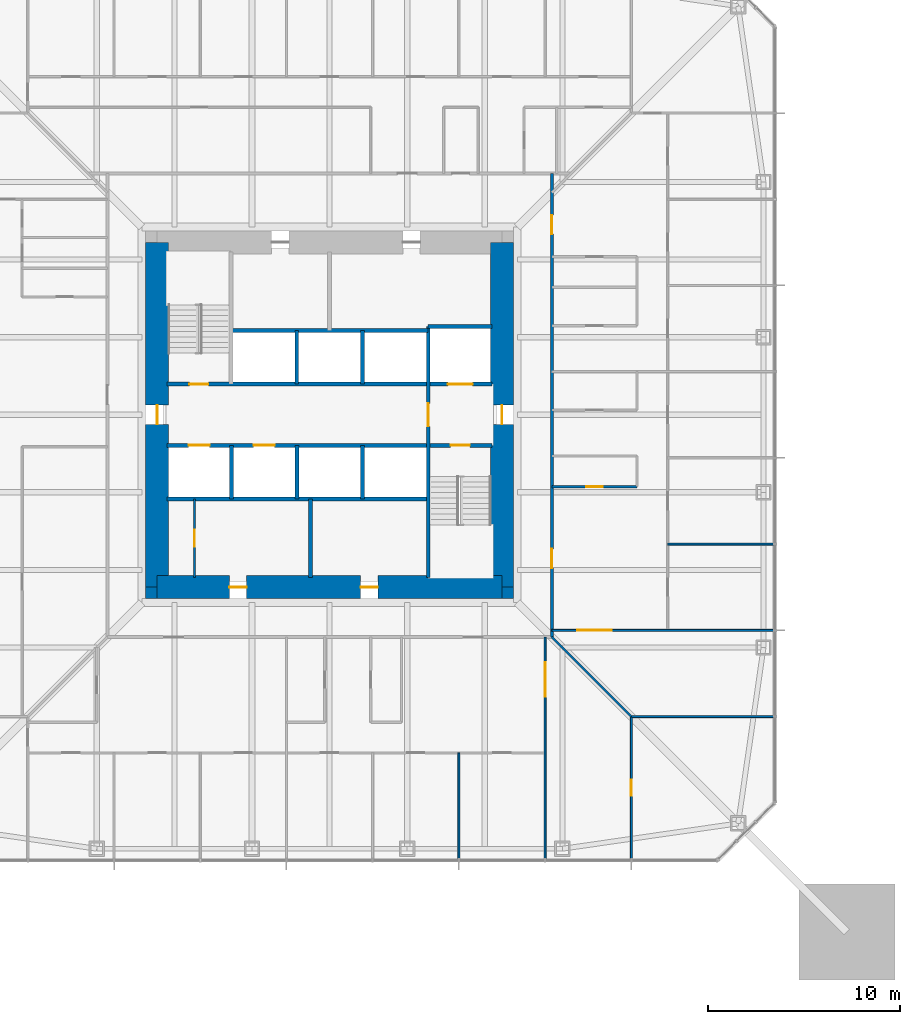
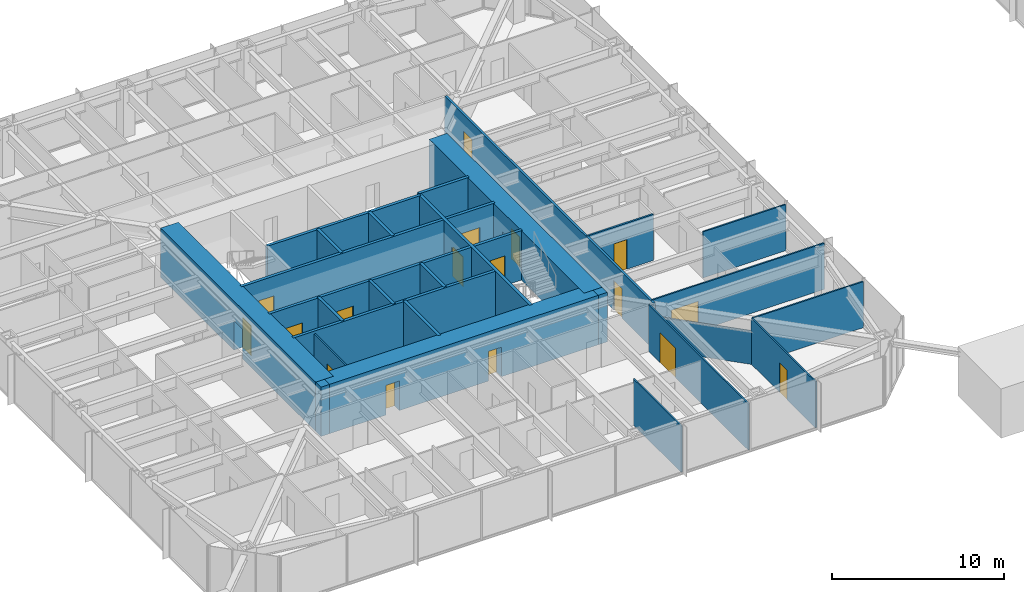
# One storey, part 15 of 26: 27 walls, 17 doors, 17 openings.
"""IFC4 building model written with IfcOpenShell, lengths in metres."""

from ifc_helpers import new_model, si_unit, direction, frame, frame_2d, origin, place, context, subcontext, project, spatial, rectangle, extrude, material, layer, layer_set, type_object, element, fill, save


model = new_model("IFC4")

# Units and contexts
model_context = context("Model", 3, precision=1e-05, world=origin(), true_north=direction((0.0, 1.0)))
body_context = subcontext(model_context, "Body", "Model", "MODEL_VIEW")
ifc_project = project(units=[si_unit("LENGTHUNIT", "METRE"), si_unit("AREAUNIT", "SQUARE_METRE"), si_unit("VOLUMEUNIT", "CUBIC_METRE"), si_unit("PLANEANGLEUNIT", "RADIAN"), si_unit("MASSUNIT", "GRAM", prefix="KILO")], contexts=[model_context])

# Site, building, storey
site_placement = place(None, origin())
site = spatial("IfcSite", under=ifc_project, at=site_placement, CompositionType="ELEMENT")
building_placement = place(site_placement, origin())
building = spatial("IfcBuilding", under=site, at=building_placement, Name="Iwan Alto Co-Living Towers", CompositionType="ELEMENT")
storey_placement = place(building_placement, frame((0.0, 0.0, 39.5)))
storey = spatial("IfcBuildingStorey", under=building, at=storey_placement, Name="L10", CompositionType="ELEMENT", Elevation=39.5)

# Wall, openings, doors
ifc_material_1 = material(Name="Gypsum board")
ifc_layer_1 = layer(ifc_material_1, 0.02490234375, Name="Board", Category="Finish")
ifc_material_2 = material(Name="Steel ASTM A1003 ST33H cold-formed studs", Category="steel")
ifc_layer_2 = layer(ifc_material_2, 0.10009765625, Name="Studs", Category="Framing")
ifc_layer_3 = layer(ifc_material_1, 0.02490234375, Name="Board", Category="Finish")
ifc_layer_set_1 = layer_set([ifc_layer_1, ifc_layer_2, ifc_layer_3], Name="CORRIDOR WALL 150")
wall_type_1 = type_object("IfcWallType", Name="CORRIDOR WALL 150", PredefinedType="PARTITIONING", material=ifc_layer_set_1)
wall_1_placement = place(storey_placement, frame((11.60009765625, -11.60009765625, 0.0), z_axis=(0.0, 0.0, 1.0), x_axis=(0.0, 1.0, 0.0)))
wall_1 = element("IfcWall", 1, at=wall_1_placement, inside=storey, type_object=wall_type_1, Name="Partition L10", PredefinedType="PARTITIONING", context=body_context, shape_type="SweptSolid", body=[
    extrude(rectangle(XDim=24.2001953125, YDim=0.14990234375, at=frame_2d((12.10009765625, 0.0))), origin(), (0.0, 0.0, 1.0), 3.27001953125),
])
opening_1_placement = place(wall_1_placement, frame((3.60009765625, 0.0, 0.0)))
opening_1 = element("IfcOpeningElement", 2, at=opening_1_placement, cuts=wall_1, Name="Opening D3", PredefinedType="OPENING", context=body_context, shape_type="SweptSolid", body=[
    extrude(rectangle(XDim=1.0, YDim=2.10009765625, at=frame_2d((0.5, 1.050048828125))), frame((0.0, 0.0849609375, 0.0), z_axis=(0.0, -1.0, 0.0), x_axis=(1.0, 0.0, 0.0)), (0.0, 0.0, 1.0), 0.169921875),
])
opening_2_placement = place(wall_1_placement, frame((21.02490234375, 0.0, 0.0)))
opening_2 = element("IfcOpeningElement", 3, at=opening_2_placement, cuts=wall_1, Name="Opening D3", PredefinedType="OPENING", context=body_context, shape_type="SweptSolid", body=[
    extrude(rectangle(XDim=1.0, YDim=2.10009765625, at=frame_2d((0.5, 1.050048828125))), frame((0.0, 0.0849609375, 0.0), z_axis=(0.0, -1.0, 0.0), x_axis=(1.0, 0.0, 0.0)), (0.0, 0.0, 1.0), 0.169921875),
])
ifc_material_3 = material(Name="Steel frame with timber leaf", Category="steel")
door_type_1 = type_object("IfcDoorType", Name="FLAT ENTRANCE DOOR FD30S 1000X2100", OperationType="SINGLE_SWING_LEFT", PredefinedType="DOOR", material=ifc_material_3)
door_1_placement = place(opening_1_placement, frame((1.0, 0.0, 0.0), z_axis=(0.0, 0.0, 1.0), x_axis=(-1.0, 0.0, 0.0)))
door_1 = element("IfcDoor", 4, at=door_1_placement, inside=storey, type_object=door_type_1, Name="Cluster lounge and shared kitchen door L10", OperationType="SINGLE_SWING_RIGHT", OverallHeight=2.10009765625, OverallWidth=1.0, PredefinedType="DOOR", context=body_context, shape_type="SweptSolid", body=[
    extrude(rectangle(XDim=1.0, YDim=2.10009765625, at=frame_2d((0.5, 1.050048828125))), frame((0.0, 0.02490234375, 0.0), z_axis=(0.0, -1.0, 0.0), x_axis=(1.0, 0.0, 0.0)), (0.0, 0.0, 1.0), 0.050048828125),
])
fill(opening_1, door_1)
door_2_placement = place(opening_2_placement, frame((1.0, 0.0, 0.0), z_axis=(0.0, 0.0, 1.0), x_axis=(-1.0, 0.0, 0.0)))
door_2 = element("IfcDoor", 5, at=door_2_placement, inside=storey, type_object=door_type_1, Name="Cluster lounge door L10", OperationType="SINGLE_SWING_RIGHT", OverallHeight=2.10009765625, OverallWidth=1.0, PredefinedType="DOOR", context=body_context, shape_type="SweptSolid", body=[
    extrude(rectangle(XDim=1.0, YDim=2.10009765625, at=frame_2d((0.5, 1.050048828125))), frame((0.0, 0.02490234375, 0.0), z_axis=(0.0, -1.0, 0.0), x_axis=(1.0, 0.0, 0.0)), (0.0, 0.0, 1.0), 0.050048828125),
])
fill(opening_2, door_2)

# Wall
ifc_layer_4 = layer(ifc_material_1, 0.012451171875, Name="Board", Category="Finish")
ifc_layer_5 = layer(ifc_material_2, 0.074951171875, Name="Studs", Category="Framing")
ifc_layer_6 = layer(ifc_material_1, 0.012451171875, Name="Board", Category="Finish")
ifc_layer_set_2 = layer_set([ifc_layer_4, ifc_layer_5, ifc_layer_6], Name="PARTITION 100")
wall_type_2 = type_object("IfcWallType", Name="PARTITION 100", PredefinedType="PARTITIONING", material=ifc_layer_set_2)
wall_2_placement = place(storey_placement, frame((15.75, -15.75, 0.0), z_axis=(0.0, 0.0, 1.0), x_axis=(1.0, 0.0, 0.0)))
element("IfcWall", 6, at=wall_2_placement, inside=storey, type_object=wall_type_2, Name="Partition L10", PredefinedType="PARTITIONING", context=body_context, shape_type="SweptSolid", body=[
    extrude(rectangle(XDim=7.43994140625, YDim=0.10009765625, at=frame_2d((3.719970703125, 0.0))), origin(), (0.0, 0.0, 1.0), 3.27001953125),
])

# Wall, opening, door
wall_3_placement = place(storey_placement, frame((11.60009765625, -11.25, 0.0), z_axis=(0.0, 0.0, 1.0), x_axis=(1.0, 0.0, 0.0)))
wall_3 = element("IfcWall", 7, at=wall_3_placement, inside=storey, type_object=wall_type_2, Name="Partition L10", PredefinedType="PARTITIONING", context=body_context, shape_type="SweptSolid", body=[
    extrude(rectangle(XDim=11.58984375, YDim=0.10009765625, at=frame_2d((5.794921875, 0.0))), origin(), (0.0, 0.0, 1.0), 3.27001953125),
])
opening_3_placement = place(wall_3_placement, frame((1.324951171875, 0.0, 0.0)))
opening_3 = element("IfcOpeningElement", 8, at=opening_3_placement, cuts=wall_3, Name="Opening D14", PredefinedType="OPENING", context=body_context, shape_type="SweptSolid", body=[
    extrude(rectangle(XDim=1.800048828125, YDim=2.10009765625, at=frame_2d((0.89990234375, 1.050048828125))), frame((0.0, 0.06005859375, 0.0), z_axis=(0.0, -1.0, 0.0), x_axis=(1.0, 0.0, 0.0)), (0.0, 0.0, 1.0), 0.1201171875),
])
ifc_material_4 = material(Name="Timber leaf in steel frame", Category="steel")
door_type_2 = type_object("IfcDoorType", Name="LOUNGE DOOR 1800X2100", OperationType="DOUBLE_DOOR_SINGLE_SWING", PredefinedType="DOOR", material=ifc_material_4)
door_3_placement = place(opening_3_placement, origin())
door_3 = element("IfcDoor", 9, at=door_3_placement, inside=storey, type_object=door_type_2, Name="Music practice room door L10", OperationType="DOUBLE_DOOR_SINGLE_SWING", OverallHeight=2.10009765625, OverallWidth=1.800048828125, PredefinedType="DOOR", context=body_context, shape_type="SweptSolid", body=[
    extrude(rectangle(XDim=1.800048828125, YDim=2.10009765625, at=frame_2d((0.89990234375, 1.050048828125))), frame((0.0, 0.02490234375, 0.0), z_axis=(0.0, -1.0, 0.0), x_axis=(1.0, 0.0, 0.0)), (0.0, 0.0, 1.0), 0.050048828125),
])
fill(opening_3, door_3)

# Wall
wall_4_placement = place(storey_placement, frame((17.64990234375, -6.75, 0.0), z_axis=(0.0, 0.0, 1.0), x_axis=(1.0, 0.0, 0.0)))
element("IfcWall", 10, at=wall_4_placement, inside=storey, type_object=wall_type_2, Name="Partition L10", PredefinedType="PARTITIONING", context=body_context, shape_type="SweptSolid", body=[
    extrude(rectangle(XDim=5.5400390625, YDim=0.10009765625, at=frame_2d((2.77001953125, 0.0))), origin(), (0.0, 0.0, 1.0), 3.27001953125),
])

# Wall, opening, door
wall_5_placement = place(storey_placement, frame((15.75, -23.18994140625, 0.0), z_axis=(0.0, 0.0, 1.0), x_axis=(0.0, 1.0, 0.0)))
wall_5 = element("IfcWall", 11, at=wall_5_placement, inside=storey, type_object=wall_type_2, Name="Partition L10", PredefinedType="PARTITIONING", context=body_context, shape_type="SweptSolid", body=[
    extrude(rectangle(XDim=7.43994140625, YDim=0.10009765625, at=frame_2d((3.719970703125, 0.0))), origin(), (0.0, 0.0, 1.0), 3.27001953125),
])
opening_4_placement = place(wall_5_placement, frame((3.294921875, 0.0, 0.0)))
opening_4 = element("IfcOpeningElement", 12, at=opening_4_placement, cuts=wall_5, Name="Opening D2", PredefinedType="OPENING", context=body_context, shape_type="SweptSolid", body=[
    extrude(rectangle(XDim=0.85009765625, YDim=2.10009765625, at=frame_2d((0.425048828125, 1.050048828125))), frame((0.0, 0.06005859375, 0.0), z_axis=(0.0, -1.0, 0.0), x_axis=(1.0, 0.0, 0.0)), (0.0, 0.0, 1.0), 0.1201171875),
])
ifc_material_5 = material(Name="Timber leaf in steel frame", Category="steel")
door_type_3 = type_object("IfcDoorType", Name="ROOM DOOR 850X2100", OperationType="SINGLE_SWING_LEFT", PredefinedType="DOOR", material=ifc_material_5)
door_4_placement = place(opening_4_placement, frame((0.85009765625, 0.0, 0.0), z_axis=(0.0, 0.0, 1.0), x_axis=(-1.0, 0.0, 0.0)))
door_4 = element("IfcDoor", 13, at=door_4_placement, inside=storey, type_object=door_type_3, Name="Shared kitchen and lounge door L10", OperationType="SINGLE_SWING_LEFT", OverallHeight=2.10009765625, OverallWidth=0.85009765625, PredefinedType="DOOR", context=body_context, shape_type="SweptSolid", body=[
    extrude(rectangle(XDim=0.85009765625, YDim=2.10009765625, at=frame_2d((0.425048828125, 1.050048828125))), frame((0.0, 0.02490234375, 0.0), z_axis=(0.0, -1.0, 0.0), x_axis=(1.0, 0.0, 0.0)), (0.0, 0.0, 1.0), 0.050048828125),
])
fill(opening_4, door_4)

wall_6_placement = place(storey_placement, frame((11.25, -23.18994140625, 0.0), z_axis=(0.0, 0.0, 1.0), x_axis=(0.0, 1.0, 0.0)))
wall_6 = element("IfcWall", 14, at=wall_6_placement, inside=storey, type_object=wall_type_2, Name="Partition L10", PredefinedType="PARTITIONING", context=body_context, shape_type="SweptSolid", body=[
    extrude(rectangle(XDim=11.58984375, YDim=0.10009765625, at=frame_2d((5.794921875, 0.0))), origin(), (0.0, 0.0, 1.0), 3.27001953125),
])
opening_5_placement = place(wall_6_placement, frame((8.465087890625, 0.0, 0.0)))
opening_5 = element("IfcOpeningElement", 15, at=opening_5_placement, cuts=wall_6, Name="Opening D14", PredefinedType="OPENING", context=body_context, shape_type="SweptSolid", body=[
    extrude(rectangle(XDim=1.800048828125, YDim=2.10009765625, at=frame_2d((0.89990234375, 1.050048828125))), frame((0.0, 0.06005859375, 0.0), z_axis=(0.0, -1.0, 0.0), x_axis=(1.0, 0.0, 0.0)), (0.0, 0.0, 1.0), 0.1201171875),
])
door_5_placement = place(opening_5_placement, origin())
door_5 = element("IfcDoor", 16, at=door_5_placement, inside=storey, type_object=door_type_2, Name="Games room door L10", OperationType="DOUBLE_DOOR_SINGLE_SWING", OverallHeight=2.10009765625, OverallWidth=1.800048828125, PredefinedType="DOOR", context=body_context, shape_type="SweptSolid", body=[
    extrude(rectangle(XDim=1.800048828125, YDim=2.10009765625, at=frame_2d((0.89990234375, 1.050048828125))), frame((0.0, 0.02490234375, 0.0), z_axis=(0.0, -1.0, 0.0), x_axis=(1.0, 0.0, 0.0)), (0.0, 0.0, 1.0), 0.050048828125),
])
fill(opening_5, door_5)

# Wall
wall_7_placement = place(storey_placement, frame((6.75, -23.18994140625, 0.0), z_axis=(0.0, 0.0, 1.0), x_axis=(0.0, 1.0, 0.0)))
element("IfcWall", 17, at=wall_7_placement, inside=storey, type_object=wall_type_2, Name="Partition L10", PredefinedType="PARTITIONING", context=body_context, shape_type="SweptSolid", body=[
    extrude(rectangle(XDim=5.5400390625, YDim=0.10009765625, at=frame_2d((2.77001953125, 0.0))), origin(), (0.0, 0.0, 1.0), 3.27001953125),
])

# Wall, opening, door
wall_8_placement = place(storey_placement, frame((-7.050048828125, -8.489990234375, 0.0), z_axis=(0.0, 0.0, 1.0), x_axis=(0.0, 1.0, 0.0)))
wall_8 = element("IfcWall", 18, at=wall_8_placement, inside=storey, type_object=wall_type_2, Name="Partition L10", PredefinedType="PARTITIONING", context=body_context, shape_type="SweptSolid", body=[
    extrude(rectangle(XDim=4.090087890625, YDim=0.10009765625, at=frame_2d((2.044921875, 0.0))), origin(), (0.0, 0.0, 1.0), 3.300048828125),
])
opening_6_placement = place(wall_8_placement, frame((1.594970703125, 0.0, 0.0)))
opening_6 = element("IfcOpeningElement", 19, at=opening_6_placement, cuts=wall_8, Name="Opening D16", PredefinedType="OPENING", context=body_context, shape_type="SweptSolid", body=[
    extrude(rectangle(XDim=0.89990234375, YDim=2.10009765625, at=frame_2d((0.449951171875, 1.050048828125))), frame((0.0, 0.06005859375, 0.0), z_axis=(0.0, -1.0, 0.0), x_axis=(1.0, 0.0, 0.0)), (0.0, 0.0, 1.0), 0.1201171875),
])
ifc_material_6 = material(Name="Timber leaf in steel frame", Category="steel")
door_type_4 = type_object("IfcDoorType", Name="CUPBOARD SLIDING DOOR 900X2100", OperationType="SLIDING_TO_LEFT", PredefinedType="DOOR", material=ifc_material_6)
door_6_placement = place(opening_6_placement, origin())
door_6 = element("IfcDoor", 20, at=door_6_placement, inside=storey, type_object=door_type_4, Name="Recycling store door L10", OperationType="SLIDING_TO_LEFT", OverallHeight=2.10009765625, OverallWidth=0.89990234375, PredefinedType="DOOR", context=body_context, shape_type="SweptSolid", body=[
    extrude(rectangle(XDim=0.89990234375, YDim=2.10009765625, at=frame_2d((0.449951171875, 1.050048828125))), frame((0.0, 0.02490234375, 0.0), z_axis=(0.0, -1.0, 0.0), x_axis=(1.0, 0.0, 0.0)), (0.0, 0.0, 1.0), 0.050048828125),
])
fill(opening_6, door_6)

# Walls
wall_9_placement = place(storey_placement, frame((15.75, -15.75, 0.0), z_axis=(0.0, 0.0, 1.0), x_axis=(-0.707106781187, 0.707106781187, 0.0)))
element("IfcWall", 21, at=wall_9_placement, inside=storey, type_object=wall_type_2, Name="Partition L10", PredefinedType="PARTITIONING", context=body_context, shape_type="SweptSolid", body=[
    extrude(rectangle(XDim=5.868896484375, YDim=0.10009765625, at=frame_2d((2.9345703125, 0.0))), origin(), (0.0, 0.0, 1.0), 2.343017578125),
])
ifc_material_7 = material(Name="Concrete f'c 70 MPa", Category="concrete")
ifc_layer_7 = layer(ifc_material_7, 0.199951171875)
ifc_layer_set_3 = layer_set([ifc_layer_7], Name="SHAFT WALL 200")
wall_type_3 = type_object("IfcWallType", Name="SHAFT WALL 200", PredefinedType="SOLIDWALL", material=ifc_layer_set_3)
wall_10_placement = place(storey_placement, frame((-8.489990234375, -4.39990234375, 0.0), z_axis=(0.0, 0.0, 1.0), x_axis=(1.0, 0.0, 0.0)))
element("IfcWall", 22, at=wall_10_placement, inside=storey, type_object=wall_type_3, Name="Shaft wall L10", PredefinedType="SOLIDWALL", context=body_context, shape_type="SweptSolid", body=[
    extrude(rectangle(XDim=13.639892578125, YDim=0.199951171875, at=frame_2d((6.81982421875, 0.0))), origin(), (0.0, 0.0, 1.0), 3.5),
])

# Wall, openings, doors
wall_11_placement = place(storey_placement, frame((-8.489990234375, -1.60009765625, 0.0), z_axis=(0.0, 0.0, 1.0), x_axis=(1.0, 0.0, 0.0)))
wall_11 = element("IfcWall", 23, at=wall_11_placement, inside=storey, type_object=wall_type_3, Name="Shaft wall L10", PredefinedType="SOLIDWALL", context=body_context, shape_type="SweptSolid", body=[
    extrude(rectangle(XDim=16.97998046875, YDim=0.199951171875, at=frame_2d((8.489990234375, 0.0))), origin(), (0.0, 0.0, 1.0), 3.5),
])
opening_7_placement = place(wall_11_placement, frame((14.81005859375, 0.0, 0.0)))
opening_7 = element("IfcOpeningElement", 24, at=opening_7_placement, cuts=wall_11, Name="Opening D5", PredefinedType="OPENING", context=body_context, shape_type="SweptSolid", body=[
    extrude(rectangle(XDim=1.0, YDim=2.10009765625, at=frame_2d((0.5, 1.050048828125))), frame((0.0, 0.10986328125, 0.0), z_axis=(0.0, -1.0, 0.0), x_axis=(1.0, 0.0, 0.0)), (0.0, 0.0, 1.0), 0.219970703125),
])
opening_8_placement = place(wall_11_placement, frame((1.133056640625, 0.0, 0.0)))
opening_8 = element("IfcOpeningElement", 25, at=opening_8_placement, cuts=wall_11, Name="Opening LD", PredefinedType="OPENING", context=body_context, shape_type="SweptSolid", body=[
    extrude(rectangle(XDim=1.10009765625, YDim=2.10009765625, at=frame_2d((0.550048828125, 1.050048828125))), frame((0.0, 0.10986328125, 0.0), z_axis=(0.0, -1.0, 0.0), x_axis=(1.0, 0.0, 0.0)), (0.0, 0.0, 1.0), 0.219970703125),
])
opening_9_placement = place(wall_11_placement, frame((4.528076171875, 0.0, 0.0)))
opening_9 = element("IfcOpeningElement", 26, at=opening_9_placement, cuts=wall_11, Name="Opening LD", PredefinedType="OPENING", context=body_context, shape_type="SweptSolid", body=[
    extrude(rectangle(XDim=1.10009765625, YDim=2.10009765625, at=frame_2d((0.550048828125, 1.050048828125))), frame((0.0, 0.10986328125, 0.0), z_axis=(0.0, -1.0, 0.0), x_axis=(1.0, 0.0, 0.0)), (0.0, 0.0, 1.0), 0.219970703125),
])
ifc_material_8 = material(Name="Steel frame with timber leaf", Category="steel")
door_type_5 = type_object("IfcDoorType", Name="LIFT LANDING DOOR 1100X2100", OperationType="DOUBLE_DOOR_SLIDING", PredefinedType="DOOR", material=ifc_material_8)
door_7_placement = place(opening_8_placement, origin())
door_7 = element("IfcDoor", 27, at=door_7_placement, inside=storey, type_object=door_type_5, Name="Lift P1-1 landing door L10", OperationType="DOUBLE_DOOR_SLIDING", OverallHeight=2.10009765625, OverallWidth=1.10009765625, PredefinedType="DOOR", context=body_context, shape_type="SweptSolid", body=[
    extrude(rectangle(XDim=1.10009765625, YDim=2.10009765625, at=frame_2d((0.550048828125, 1.050048828125))), frame((0.0, 0.02490234375, 0.0), z_axis=(0.0, -1.0, 0.0), x_axis=(1.0, 0.0, 0.0)), (0.0, 0.0, 1.0), 0.050048828125),
])
fill(opening_8, door_7)
door_8_placement = place(opening_9_placement, origin())
door_8 = element("IfcDoor", 28, at=door_8_placement, inside=storey, type_object=door_type_5, Name="Lift P1-2 landing door L10", OperationType="DOUBLE_DOOR_SLIDING", OverallHeight=2.10009765625, OverallWidth=1.10009765625, PredefinedType="DOOR", context=body_context, shape_type="SweptSolid", body=[
    extrude(rectangle(XDim=1.10009765625, YDim=2.10009765625, at=frame_2d((0.550048828125, 1.050048828125))), frame((0.0, 0.02490234375, 0.0), z_axis=(0.0, -1.0, 0.0), x_axis=(1.0, 0.0, 0.0)), (0.0, 0.0, 1.0), 0.050048828125),
])
fill(opening_9, door_8)
ifc_material_9 = material(Name="Steel frame with timber leaf", Category="steel")
door_type_6 = type_object("IfcDoorType", Name="STAIR DOOR FD120S 1000X2100", OperationType="SINGLE_SWING_LEFT", PredefinedType="DOOR", material=ifc_material_9)
door_9_placement = place(opening_7_placement, frame((1.0, 0.0, 0.0), z_axis=(0.0, 0.0, 1.0), x_axis=(-1.0, 0.0, 0.0)))
door_9 = element("IfcDoor", 29, at=door_9_placement, inside=storey, type_object=door_type_6, Name="Stair S2 door L10", OperationType="SINGLE_SWING_RIGHT", OverallHeight=2.10009765625, OverallWidth=1.0, PredefinedType="DOOR", context=body_context, shape_type="SweptSolid", body=[
    extrude(rectangle(XDim=1.0, YDim=2.10009765625, at=frame_2d((0.5, 1.050048828125))), frame((0.0, 0.02490234375, 0.0), z_axis=(0.0, -1.0, 0.0), x_axis=(1.0, 0.0, 0.0)), (0.0, 0.0, 1.0), 0.050048828125),
])
fill(opening_7, door_9)

wall_12_placement = place(storey_placement, frame((-8.489990234375, 1.60009765625, 0.0), z_axis=(0.0, 0.0, 1.0), x_axis=(1.0, 0.0, 0.0)))
wall_12 = element("IfcWall", 30, at=wall_12_placement, inside=storey, type_object=wall_type_3, Name="Shaft wall L10", PredefinedType="SOLIDWALL", context=body_context, shape_type="SweptSolid", body=[
    extrude(rectangle(XDim=16.97998046875, YDim=0.199951171875, at=frame_2d((8.489990234375, 0.0))), origin(), (0.0, 0.0, 1.0), 3.5),
])
opening_10_placement = place(wall_12_placement, frame((1.169921875, 0.0, 0.0)))
opening_10 = element("IfcOpeningElement", 31, at=opening_10_placement, cuts=wall_12, Name="Opening D5", PredefinedType="OPENING", context=body_context, shape_type="SweptSolid", body=[
    extrude(rectangle(XDim=1.0, YDim=2.10009765625, at=frame_2d((0.5, 1.050048828125))), frame((0.0, 0.10986328125, 0.0), z_axis=(0.0, -1.0, 0.0), x_axis=(1.0, 0.0, 0.0)), (0.0, 0.0, 1.0), 0.219970703125),
])
opening_11_placement = place(wall_12_placement, frame((14.659912109375, 0.0, 0.0)))
opening_11 = element("IfcOpeningElement", 32, at=opening_11_placement, cuts=wall_12, Name="Opening LD2", PredefinedType="OPENING", context=body_context, shape_type="SweptSolid", body=[
    extrude(rectangle(XDim=1.300048828125, YDim=2.10009765625, at=frame_2d((0.64990234375, 1.050048828125))), frame((0.0, 0.10986328125, 0.0), z_axis=(0.0, -1.0, 0.0), x_axis=(1.0, 0.0, 0.0)), (0.0, 0.0, 1.0), 0.219970703125),
])
ifc_material_10 = material(Name="Steel frame with timber leaf", Category="steel")
door_type_7 = type_object("IfcDoorType", Name="LIFT LANDING DOOR 1300X2100", OperationType="SLIDING_TO_LEFT", PredefinedType="DOOR", material=ifc_material_10)
door_10_placement = place(opening_11_placement, origin())
door_10 = element("IfcDoor", 33, at=door_10_placement, inside=storey, type_object=door_type_7, Name="Lift FL1 landing door L10", OperationType="SLIDING_TO_LEFT", OverallHeight=2.10009765625, OverallWidth=1.300048828125, PredefinedType="DOOR", context=body_context, shape_type="SweptSolid", body=[
    extrude(rectangle(XDim=1.300048828125, YDim=2.10009765625, at=frame_2d((0.64990234375, 1.050048828125))), frame((0.0, 0.02490234375, 0.0), z_axis=(0.0, -1.0, 0.0), x_axis=(1.0, 0.0, 0.0)), (0.0, 0.0, 1.0), 0.050048828125),
])
fill(opening_11, door_10)
door_11_placement = place(opening_10_placement, origin())
door_11 = element("IfcDoor", 34, at=door_11_placement, inside=storey, type_object=door_type_6, Name="Stair S1 door L10", OperationType="SINGLE_SWING_RIGHT", OverallHeight=2.10009765625, OverallWidth=1.0, PredefinedType="DOOR", context=body_context, shape_type="SweptSolid", body=[
    extrude(rectangle(XDim=1.0, YDim=2.10009765625, at=frame_2d((0.5, 1.050048828125))), frame((0.0, 0.02490234375, 0.0), z_axis=(0.0, -1.0, 0.0), x_axis=(1.0, 0.0, 0.0)), (0.0, 0.0, 1.0), 0.050048828125),
])
fill(opening_10, door_11)

# Walls
wall_13_placement = place(storey_placement, frame((-5.14990234375, 4.39990234375, 0.0), z_axis=(0.0, 0.0, 1.0), x_axis=(1.0, 0.0, 0.0)))
element("IfcWall", 35, at=wall_13_placement, inside=storey, type_object=wall_type_3, Name="Shaft wall L10", PredefinedType="SOLIDWALL", context=body_context, shape_type="SweptSolid", body=[
    extrude(rectangle(XDim=10.2998046875, YDim=0.199951171875, at=frame_2d((5.14990234375, 0.0))), origin(), (0.0, 0.0, 1.0), 3.5),
])
wall_14_placement = place(storey_placement, frame((5.14990234375, 4.60009765625, 0.0), z_axis=(0.0, 0.0, 1.0), x_axis=(1.0, 0.0, 0.0)))
element("IfcWall", 36, at=wall_14_placement, inside=storey, type_object=wall_type_3, Name="Shaft wall L10", PredefinedType="SOLIDWALL", context=body_context, shape_type="SweptSolid", body=[
    extrude(rectangle(XDim=3.340087890625, YDim=0.199951171875, at=frame_2d((1.669921875, 0.0))), origin(), (0.0, 0.0, 1.0), 3.5),
])

# Wall, opening, door
wall_15_placement = place(storey_placement, frame((5.14990234375, -8.489990234375, 0.0), z_axis=(0.0, 0.0, 1.0), x_axis=(0.0, 1.0, 0.0)))
wall_15 = element("IfcWall", 37, at=wall_15_placement, inside=storey, type_object=wall_type_3, Name="Shaft wall L10", PredefinedType="SOLIDWALL", context=body_context, shape_type="SweptSolid", body=[
    extrude(rectangle(XDim=13.090087890625, YDim=0.199951171875, at=frame_2d((6.544921875, 0.0))), origin(), (0.0, 0.0, 1.0), 3.5),
])
opening_12_placement = place(wall_15_placement, frame((7.889892578125, 0.0, 0.0)))
opening_12 = element("IfcOpeningElement", 38, at=opening_12_placement, cuts=wall_15, Name="Opening D6", PredefinedType="OPENING", context=body_context, shape_type="SweptSolid", body=[
    extrude(rectangle(XDim=1.199951171875, YDim=2.10009765625, at=frame_2d((0.60009765625, 1.050048828125))), frame((0.0, 0.10986328125, 0.0), z_axis=(0.0, -1.0, 0.0), x_axis=(1.0, 0.0, 0.0)), (0.0, 0.0, 1.0), 0.219970703125),
])
ifc_material_11 = material(Name="Steel frame with timber leaf", Category="steel")
door_type_8 = type_object("IfcDoorType", Name="LOBBY DOOR FD120S 1200X2100", OperationType="SINGLE_SWING_LEFT", PredefinedType="DOOR", material=ifc_material_11)
door_12_placement = place(opening_12_placement, frame((1.199951171875, 0.0, 0.0), z_axis=(0.0, 0.0, 1.0), x_axis=(-1.0, 0.0, 0.0)))
door_12 = element("IfcDoor", 39, at=door_12_placement, inside=storey, type_object=door_type_8, Name="Firefighting lobby door L10", OperationType="SINGLE_SWING_RIGHT", OverallHeight=2.10009765625, OverallWidth=1.199951171875, PredefinedType="DOOR", context=body_context, shape_type="SweptSolid", body=[
    extrude(rectangle(XDim=1.199951171875, YDim=2.10009765625, at=frame_2d((0.60009765625, 1.050048828125))), frame((0.0, 0.02490234375, 0.0), z_axis=(0.0, -1.0, 0.0), x_axis=(1.0, 0.0, 0.0)), (0.0, 0.0, 1.0), 0.050048828125),
])
fill(opening_12, door_12)

# Walls
for number, where, z_axis, x_axis, name in (
    (40, (1.72509765625, -4.39990234375, 0.0), (0.0, 0.0, 1.0), (0.0, 1.0, 0.0), "Shaft wall L10"),
    (41, (1.717041015625, 1.60009765625, 0.0), (0.0, 0.0, 1.0), (0.0, 1.0, 0.0), "Shaft wall L10"),
):
    element("IfcWall", number, at=place(storey_placement, frame(where, z_axis=z_axis, x_axis=x_axis)), inside=storey, type_object=wall_type_3, Name=name, PredefinedType="SOLIDWALL", context=body_context, shape_type="SweptSolid", body=[
        extrude(rectangle(XDim=2.7998046875, YDim=0.199951171875, at=frame_2d((1.39990234375, 0.0))), origin(), (0.0, 0.0, 1.0), 3.5),
    ])
wall_16_placement = place(storey_placement, frame((-1.0, -8.489990234375, 0.0), z_axis=(0.0, 0.0, 1.0), x_axis=(0.0, 1.0, 0.0)))
element("IfcWall", 42, at=wall_16_placement, inside=storey, type_object=wall_type_3, Name="Shaft wall L10", PredefinedType="SOLIDWALL", context=body_context, shape_type="SweptSolid", body=[
    extrude(rectangle(XDim=4.090087890625, YDim=0.199951171875, at=frame_2d((2.044921875, 0.0))), origin(), (0.0, 0.0, 1.0), 3.5),
])
for number, where, z_axis, x_axis, name in (
    (43, (-1.699951171875, -4.39990234375, 0.0), (0.0, 0.0, 1.0), (0.0, 1.0, 0.0), "Shaft wall L10"),
    (44, (-1.717041015625, 1.60009765625, 0.0), (0.0, 0.0, 1.0), (0.0, 1.0, 0.0), "Shaft wall L10"),
    (45, (-5.125, -4.39990234375, 0.0), (0.0, 0.0, 1.0), (0.0, 1.0, 0.0), "Shaft wall L10"),
):
    element("IfcWall", number, at=place(storey_placement, frame(where, z_axis=z_axis, x_axis=x_axis)), inside=storey, type_object=wall_type_3, Name=name, PredefinedType="SOLIDWALL", context=body_context, shape_type="SweptSolid", body=[
        extrude(rectangle(XDim=2.7998046875, YDim=0.199951171875, at=frame_2d((1.39990234375, 0.0))), origin(), (0.0, 0.0, 1.0), 3.5),
    ])
ifc_material_12 = material(Name="Concrete f'c 70 MPa", Category="concrete")
ifc_layer_8 = layer(ifc_material_12, 0.60009765625)
ifc_layer_set_4 = layer_set([ifc_layer_8], Name="T1 CORE CORNER FILL 600")
wall_type_4 = type_object("IfcWallType", Name="T1 CORE CORNER FILL 600", PredefinedType="SOLIDWALL", material=ifc_layer_set_4)
for number, where, z_axis, x_axis, name in (
    (46, (-9.60009765625, -9.300048828125, 0.0), (0.0, 0.0, 1.0), (1.0, 0.0, 0.0), "T1 core corner SW L10"),
    (47, (9.0, -9.300048828125, 0.0), (0.0, 0.0, 1.0), (1.0, 0.0, 0.0), "T1 core corner SE L10"),
):
    element("IfcWall", number, at=place(storey_placement, frame(where, z_axis=z_axis, x_axis=x_axis)), inside=storey, type_object=wall_type_4, Name=name, PredefinedType="SOLIDWALL", context=body_context, shape_type="SweptSolid", body=[
        extrude(rectangle(XDim=0.60009765625, YDim=0.60009765625, at=frame_2d((0.300048828125, 0.0))), origin(), (0.0, 0.0, 1.0), 3.5),
    ])

# Wall, openings, doors
ifc_material_13 = material(Name="Concrete f'c 70 MPa", Category="concrete")
ifc_layer_9 = layer(ifc_material_13, 1.199951171875)
ifc_layer_set_5 = layer_set([ifc_layer_9], Name="T1 CORE WALL 1200")
wall_type_5 = type_object("IfcWallType", Name="T1 CORE WALL 1200", PredefinedType="SHEAR", material=ifc_layer_set_5)
wall_17_placement = place(storey_placement, frame((-9.0, -9.0, 0.0), z_axis=(0.0, 0.0, 1.0), x_axis=(1.0, 0.0, 0.0)))
wall_17 = element("IfcWall", 48, at=wall_17_placement, inside=storey, type_object=wall_type_5, Name="T1 core wall S L10", PredefinedType="SHEAR", context=body_context, shape_type="SweptSolid", body=[
    extrude(rectangle(XDim=18.0, YDim=1.199951171875, at=frame_2d((9.0, 0.0))), origin(), (0.0, 0.0, 1.0), 3.5),
])
opening_13_placement = place(wall_17_placement, frame((3.77490234375, 0.0, 0.0)))
opening_13 = element("IfcOpeningElement", 49, at=opening_13_placement, cuts=wall_17, Name="Opening D8", PredefinedType="OPENING", context=body_context, shape_type="SweptSolid", body=[
    extrude(rectangle(XDim=0.89990234375, YDim=2.10009765625, at=frame_2d((0.449951171875, 1.050048828125))), frame((0.0, 0.60986328125, 0.0), z_axis=(0.0, -1.0, 0.0), x_axis=(1.0, 0.0, 0.0)), (0.0, 0.0, 1.0), 1.219970703125),
])
opening_14_placement = place(wall_17_placement, frame((10.625, 0.0, 0.0)))
opening_14 = element("IfcOpeningElement", 50, at=opening_14_placement, cuts=wall_17, Name="Opening D8", PredefinedType="OPENING", context=body_context, shape_type="SweptSolid", body=[
    extrude(rectangle(XDim=0.89990234375, YDim=2.10009765625, at=frame_2d((0.449951171875, 1.050048828125))), frame((0.0, 0.60986328125, 0.0), z_axis=(0.0, -1.0, 0.0), x_axis=(1.0, 0.0, 0.0)), (0.0, 0.0, 1.0), 1.219970703125),
])
ifc_material_14 = material(Name="Steel frame with timber leaf", Category="steel")
door_type_9 = type_object("IfcDoorType", Name="RISER DOOR FD120 900X2100", OperationType="SINGLE_SWING_LEFT", PredefinedType="DOOR", material=ifc_material_14)
door_13_placement = place(opening_13_placement, origin())
door_13 = element("IfcDoor", 51, at=door_13_placement, inside=storey, type_object=door_type_9, Name="Refuse room core door L10", OperationType="SINGLE_SWING_LEFT", OverallHeight=2.10009765625, OverallWidth=0.89990234375, PredefinedType="DOOR", context=body_context, shape_type="SweptSolid", body=[
    extrude(rectangle(XDim=0.89990234375, YDim=2.10009765625, at=frame_2d((0.449951171875, 1.050048828125))), frame((0.0, 0.02490234375, 0.0), z_axis=(0.0, -1.0, 0.0), x_axis=(1.0, 0.0, 0.0)), (0.0, 0.0, 1.0), 0.050048828125),
])
fill(opening_13, door_13)
door_14_placement = place(opening_14_placement, origin())
door_14 = element("IfcDoor", 52, at=door_14_placement, inside=storey, type_object=door_type_9, Name="Telecom riser core door L10", OperationType="SINGLE_SWING_LEFT", OverallHeight=2.10009765625, OverallWidth=0.89990234375, PredefinedType="DOOR", context=body_context, shape_type="SweptSolid", body=[
    extrude(rectangle(XDim=0.89990234375, YDim=2.10009765625, at=frame_2d((0.449951171875, 1.050048828125))), frame((0.0, 0.02490234375, 0.0), z_axis=(0.0, -1.0, 0.0), x_axis=(1.0, 0.0, 0.0)), (0.0, 0.0, 1.0), 0.050048828125),
])
fill(opening_14, door_14)

# Wall, opening, door
wall_18_placement = place(storey_placement, frame((9.0, -9.0, 0.0), z_axis=(0.0, 0.0, 1.0), x_axis=(0.0, 1.0, 0.0)))
wall_18 = element("IfcWall", 53, at=wall_18_placement, inside=storey, type_object=wall_type_5, Name="T1 core wall E L10", PredefinedType="SHEAR", context=body_context, shape_type="SweptSolid", body=[
    extrude(rectangle(XDim=18.0, YDim=1.199951171875, at=frame_2d((9.0, 0.0))), origin(), (0.0, 0.0, 1.0), 3.5),
])
opening_15_placement = place(wall_18_placement, frame((8.5, 0.0, 0.0)))
opening_15 = element("IfcOpeningElement", 54, at=opening_15_placement, cuts=wall_18, Name="Opening D7", PredefinedType="OPENING", context=body_context, shape_type="SweptSolid", body=[
    extrude(rectangle(XDim=1.0, YDim=2.10009765625, at=frame_2d((0.5, 1.050048828125))), frame((0.0, 0.60986328125, 0.0), z_axis=(0.0, -1.0, 0.0), x_axis=(1.0, 0.0, 0.0)), (0.0, 0.0, 1.0), 1.219970703125),
])
ifc_material_15 = material(Name="Steel frame with timber leaf", Category="steel")
door_type_10 = type_object("IfcDoorType", Name="CORE DOOR FD120S 1000X2100", OperationType="SINGLE_SWING_LEFT", PredefinedType="DOOR", material=ifc_material_15)
door_15_placement = place(opening_15_placement, origin())
door_15 = element("IfcDoor", 55, at=door_15_placement, inside=storey, type_object=door_type_10, Name="Firefighting lobby core door L10", OperationType="SINGLE_SWING_LEFT", OverallHeight=2.10009765625, OverallWidth=1.0, PredefinedType="DOOR", context=body_context, shape_type="SweptSolid", body=[
    extrude(rectangle(XDim=1.0, YDim=2.10009765625, at=frame_2d((0.5, 1.050048828125))), frame((0.0, 0.02490234375, 0.0), z_axis=(0.0, -1.0, 0.0), x_axis=(1.0, 0.0, 0.0)), (0.0, 0.0, 1.0), 0.050048828125),
])
fill(opening_15, door_15)

wall_19_placement = place(storey_placement, frame((-9.0, 9.0, 0.0), z_axis=(0.0, 0.0, 1.0), x_axis=(0.0, -1.0, 0.0)))
wall_19 = element("IfcWall", 56, at=wall_19_placement, inside=storey, type_object=wall_type_5, Name="T1 core wall W L10", PredefinedType="SHEAR", context=body_context, shape_type="SweptSolid", body=[
    extrude(rectangle(XDim=18.0, YDim=1.199951171875, at=frame_2d((9.0, 0.0))), origin(), (0.0, 0.0, 1.0), 3.5),
])
opening_16_placement = place(wall_19_placement, frame((8.5, 0.0, 0.0)))
opening_16 = element("IfcOpeningElement", 57, at=opening_16_placement, cuts=wall_19, Name="Opening D7", PredefinedType="OPENING", context=body_context, shape_type="SweptSolid", body=[
    extrude(rectangle(XDim=1.0, YDim=2.10009765625, at=frame_2d((0.5, 1.050048828125))), frame((0.0, 0.60986328125, 0.0), z_axis=(0.0, -1.0, 0.0), x_axis=(1.0, 0.0, 0.0)), (0.0, 0.0, 1.0), 1.219970703125),
])
door_16_placement = place(opening_16_placement, origin())
door_16 = element("IfcDoor", 58, at=door_16_placement, inside=storey, type_object=door_type_10, Name="Lift lobby core door L10", OperationType="SINGLE_SWING_RIGHT", OverallHeight=2.10009765625, OverallWidth=1.0, PredefinedType="DOOR", context=body_context, shape_type="SweptSolid", body=[
    extrude(rectangle(XDim=1.0, YDim=2.10009765625, at=frame_2d((0.5, 1.050048828125))), frame((0.0, 0.02490234375, 0.0), z_axis=(0.0, -1.0, 0.0), x_axis=(1.0, 0.0, 0.0)), (0.0, 0.0, 1.0), 0.050048828125),
])
fill(opening_16, door_16)

ifc_material_16 = material(Name="Cement board")
ifc_layer_10 = layer(ifc_material_16, 0.012451171875, Name="Board", Category="Finish")
ifc_layer_11 = layer(ifc_material_2, 0.094970703125, Name="Studs", Category="Framing")
ifc_layer_12 = layer(ifc_material_16, 0.012451171875, Name="Board", Category="Finish")
ifc_layer_set_6 = layer_set([ifc_layer_10, ifc_layer_11, ifc_layer_12], Name="WET AREA PARTITION 120")
wall_type_6 = type_object("IfcWallType", Name="WET AREA PARTITION 120", PredefinedType="PARTITIONING", material=ifc_layer_set_6)
wall_20_placement = place(storey_placement, frame((11.60009765625, -3.75, 0.0), z_axis=(0.0, 0.0, 1.0), x_axis=(1.0, 0.0, 0.0)))
wall_20 = element("IfcWall", 59, at=wall_20_placement, inside=storey, type_object=wall_type_6, Name="Partition L10", PredefinedType="PARTITIONING", context=body_context, shape_type="SweptSolid", body=[
    extrude(rectangle(XDim=4.449951171875, YDim=0.1201171875, at=frame_2d((2.22509765625, 0.0))), origin(), (0.0, 0.0, 1.0), 3.27001953125),
])
opening_17_placement = place(wall_20_placement, frame((1.800048828125, 0.0, 0.0)))
opening_17 = element("IfcOpeningElement", 60, at=opening_17_placement, cuts=wall_20, Name="Opening D2", PredefinedType="OPENING", context=body_context, shape_type="SweptSolid", body=[
    extrude(rectangle(XDim=0.85009765625, YDim=2.10009765625, at=frame_2d((0.425048828125, 1.050048828125))), frame((0.0, 0.070068359375, 0.0), z_axis=(0.0, -1.0, 0.0), x_axis=(1.0, 0.0, 0.0)), (0.0, 0.0, 1.0), 0.14013671875),
])
door_17_placement = place(opening_17_placement, frame((0.85009765625, 0.0, 0.0), z_axis=(0.0, 0.0, 1.0), x_axis=(-1.0, 0.0, 0.0)))
door_17 = element("IfcDoor", 61, at=door_17_placement, inside=storey, type_object=door_type_3, Name="Accessible bathroom door L10", OperationType="SINGLE_SWING_RIGHT", OverallHeight=2.10009765625, OverallWidth=0.85009765625, PredefinedType="DOOR", context=body_context, shape_type="SweptSolid", body=[
    extrude(rectangle(XDim=0.85009765625, YDim=2.10009765625, at=frame_2d((0.425048828125, 1.050048828125))), frame((0.0, 0.02490234375, 0.0), z_axis=(0.0, -1.0, 0.0), x_axis=(1.0, 0.0, 0.0)), (0.0, 0.0, 1.0), 0.050048828125),
])
fill(opening_17, door_17)

save(model, "model.ifc")
